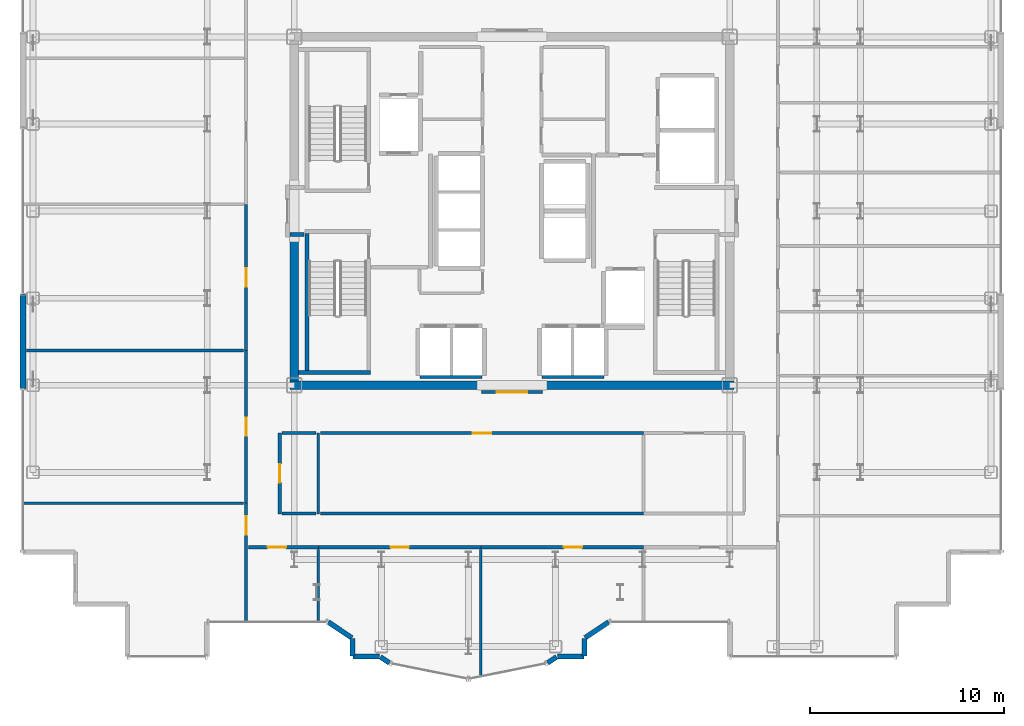
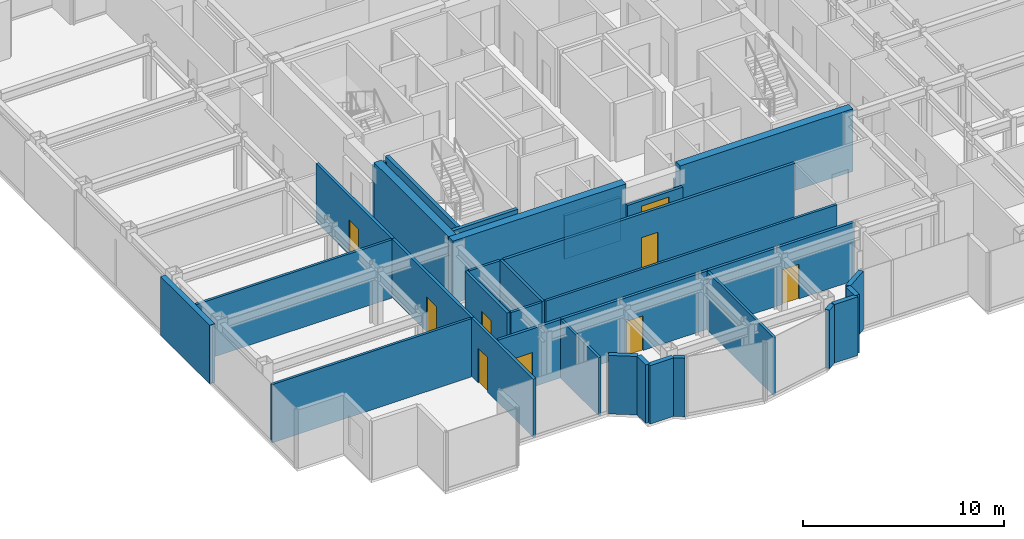
# One storey, part 15 of 21: 34 walls, 9 doors, 9 openings.
"""IFC4 building model written with IfcOpenShell, lengths in metres."""

from ifc_helpers import new_model, si_unit, direction, frame, frame_2d, origin, place, context, subcontext, project, spatial, rectangle, extrude, source, transform, mapped, material, layer, layer_set, type_object, element, fill, save


model = new_model("IFC4")

# Units and contexts
model_context = context("Model", 3, precision=1e-05, world=origin(), true_north=direction((0.0, 1.0)))
body_context = subcontext(model_context, "Body", "Model", "MODEL_VIEW")
ifc_project = project(units=[si_unit("LENGTHUNIT", "METRE"), si_unit("AREAUNIT", "SQUARE_METRE"), si_unit("VOLUMEUNIT", "CUBIC_METRE"), si_unit("PLANEANGLEUNIT", "RADIAN"), si_unit("MASSUNIT", "GRAM", prefix="KILO")], contexts=[model_context])

# Site, building, storey
site_placement = place(None, origin())
site = spatial("IfcSite", under=ifc_project, at=site_placement, CompositionType="ELEMENT")
building_placement = place(site_placement, origin())
building = spatial("IfcBuilding", under=site, at=building_placement, Name="Nefas-Gora Pilgrimage Tower", CompositionType="ELEMENT")
storey_placement = place(building_placement, frame((0.0, 0.0, 252.199951171875)))
storey = spatial("IfcBuildingStorey", under=building, at=storey_placement, Name="L63", CompositionType="ELEMENT", Elevation=252.199951171875)

# Walls
ifc_material_1 = material(Name="Concrete C50/60", Category="concrete")
ifc_layer_1 = layer(ifc_material_1, 0.449951171875)
ifc_layer_set_1 = layer_set([ifc_layer_1], Name="Concrete C50/60")
wall_type_1 = type_object("IfcWallType", Name="SW-CORE-450", PredefinedType="SHEAR", material=ifc_layer_set_1)
shared_shape_1 = source(origin(), body_context, "Body", "SweptSolid", [
    extrude(rectangle(XDim=9.925048828125, YDim=0.449951171875, at=frame_2d((4.96240234375, 0.0))), origin(), (0.0, 0.0, 1.0), 3.800048828125),
])
for number, where, z_axis, x_axis, name in (
    (1, (-11.47509765625, -9.0, 0.0), (0.0, 0.0, 1.0), (1.0, 0.0, 0.0), "L63 Core Shear Wall S-West"),
    (2, (1.550048828125, -9.0, 0.0), (0.0, 0.0, 1.0), (1.0, 0.0, 0.0), "L63 Core Shear Wall S-East"),
):
    element("IfcWall", number, at=place(storey_placement, frame(where, z_axis=z_axis, x_axis=x_axis)), inside=storey, type_object=wall_type_1, Name=name, PredefinedType="SHEAR", context=body_context, shape_type="MappedRepresentation", body=[
        mapped(shared_shape_1, transform((0.0, 0.0, 0.0), x_axis=(1.0, 0.0, 0.0), y_axis=(0.0, 1.0, 0.0), z_axis=(0.0, 0.0, 1.0), scale=1.0)),
    ])
shared_shape_2 = source(origin(), body_context, "Body", "SweptSolid", [
    extrude(rectangle(XDim=7.4248046875, YDim=0.449951171875, at=frame_2d((3.71240234375, 0.0))), origin(), (0.0, 0.0, 1.0), 3.800048828125),
])
wall_1_placement = place(storey_placement, frame((-11.25, -8.77490234375, 0.0), z_axis=(0.0, 0.0, 1.0), x_axis=(0.0, 1.0, 0.0)))
element("IfcWall", 3, at=wall_1_placement, inside=storey, type_object=wall_type_1, Name="L63 Core Shear Wall W-South", PredefinedType="SHEAR", context=body_context, shape_type="MappedRepresentation", body=[
    mapped(shared_shape_2, transform((0.0, 0.0, 0.0), x_axis=(1.0, 0.0, 0.0), y_axis=(0.0, 1.0, 0.0), z_axis=(0.0, 0.0, 1.0), scale=1.0)),
])
ifc_material_2 = material(Name="Precast concrete C45/55", Category="concrete")
ifc_layer_2 = layer(ifc_material_2, 0.239990234375)
ifc_layer_set_2 = layer_set([ifc_layer_2], Name="Precast concrete C45/55")
wall_type_2 = type_object("IfcWallType", Name="EW-SERR-240", PredefinedType="SHEAR", material=ifc_layer_set_2)
shared_shape_3 = source(origin(), body_context, "Body", "SweptSolid", [
    extrude(rectangle(XDim=4.8798828125, YDim=0.300048828125, at=frame_2d((2.43994140625, 0.0))), origin(), (0.0, 0.0, 1.0), 3.550048828125),
])
wall_2_placement = place(storey_placement, frame((-25.27001953125, -9.18994140625, 0.0), z_axis=(0.0, 0.0, 1.0), x_axis=(0.0, 1.0, 0.0)))
element("IfcWall", 4, at=wall_2_placement, inside=storey, type_object=wall_type_2, Name="L63 Braced-Tube Precast Shear Cladding 1", PredefinedType="SHEAR", context=body_context, shape_type="MappedRepresentation", body=[
    mapped(shared_shape_3, transform((0.0, 0.0, 0.0), x_axis=(1.0, 0.0, 0.0), y_axis=(0.0, 1.0, 0.0), z_axis=(0.0, 0.0, 1.0), scale=1.0)),
])
ifc_material_3 = material(Name="Precast concrete C40/50", Category="concrete")
ifc_layer_3 = layer(ifc_material_3, 0.260009765625)
ifc_layer_set_3 = layer_set([ifc_layer_3], Name="Precast concrete C40/50")
wall_type_3 = type_object("IfcWallType", Name="EW-PORTAL-260", PredefinedType="SOLIDWALL", material=ifc_layer_set_3)
shared_shape_4 = source(origin(), body_context, "Body", "SweptSolid", [
    extrude(rectangle(XDim=1.468994140625, YDim=0.260009765625, at=frame_2d((0.734375, 0.0))), origin(), (0.0, 0.0, 1.0), 3.550048828125),
])
for number, where, z_axis, x_axis, name in (
    (5, (-9.49462890625, -21.235595703125, 0.0), (0.0, 0.0, 1.0), (0.831461760506, -0.555581983884, 0.0), "L63 Lobe Shoulder Precast Spandrel Pier 33"),
    (6, (3.773193359375, -22.0517578125, 0.0), (0.0, 0.0, 1.0), (0.831461760506, 0.555581983884, 0.0), "L63 Lobe Shoulder Precast Spandrel Pier 40"),
):
    element("IfcWall", number, at=place(storey_placement, frame(where, z_axis=z_axis, x_axis=x_axis)), inside=storey, type_object=wall_type_3, Name=name, PredefinedType="SOLIDWALL", context=body_context, shape_type="MappedRepresentation", body=[
        mapped(shared_shape_4, transform((0.0, 0.0, 0.0), x_axis=(1.0, 0.0, 0.0), y_axis=(0.0, 1.0, 0.0), z_axis=(0.0, 0.0, 1.0), scale=1.0)),
    ])
shared_shape_5 = source(origin(), body_context, "Body", "SweptSolid", [
    extrude(rectangle(XDim=0.896728515625, YDim=0.260009765625, at=frame_2d((0.4482421875, 0.0))), origin(), (0.0, 0.0, 1.0), 3.550048828125),
])
for number, where, z_axis, x_axis, name in (
    (7, (-8.25, -22.09521484375, 0.0), (0.0, 0.0, 1.0), (0.0, -1.0, 0.0), "L63 Lobe Shoulder Precast Spandrel Pier 34"),
    (8, (3.75, -22.991943359375, 0.0), (0.0, 0.0, 1.0), (0.0, 1.0, 0.0), "L63 Lobe Shoulder Precast Spandrel Pier 39"),
):
    element("IfcWall", number, at=place(storey_placement, frame(where, z_axis=z_axis, x_axis=x_axis)), inside=storey, type_object=wall_type_3, Name=name, PredefinedType="SOLIDWALL", context=body_context, shape_type="MappedRepresentation", body=[
        mapped(shared_shape_5, transform((0.0, 0.0, 0.0), x_axis=(1.0, 0.0, 0.0), y_axis=(0.0, 1.0, 0.0), z_axis=(0.0, 0.0, 1.0), scale=1.0)),
    ])
shared_shape_6 = source(origin(), body_context, "Body", "SweptSolid", [
    extrude(rectangle(XDim=1.369873046875, YDim=0.260009765625, at=frame_2d((0.68505859375, 0.0))), origin(), (0.0, 0.0, 1.0), 3.550048828125),
])
for number, where, z_axis, x_axis, name in (
    (9, (-8.221923828125, -23.02001953125, 0.0), (0.0, 0.0, 1.0), (1.0, 0.0, 0.0), "L63 Lobe Shoulder Precast Spandrel Pier 35"),
    (10, (2.35205078125, -23.02001953125, 0.0), (0.0, 0.0, 1.0), (1.0, 0.0, 0.0), "L63 Lobe Shoulder Precast Spandrel Pier 38"),
):
    element("IfcWall", number, at=place(storey_placement, frame(where, z_axis=z_axis, x_axis=x_axis)), inside=storey, type_object=wall_type_3, Name=name, PredefinedType="SOLIDWALL", context=body_context, shape_type="MappedRepresentation", body=[
        mapped(shared_shape_6, transform((0.0, 0.0, 0.0), x_axis=(1.0, 0.0, 0.0), y_axis=(0.0, 1.0, 0.0), z_axis=(0.0, 0.0, 1.0), scale=1.0)),
    ])
shared_shape_7 = source(origin(), body_context, "Body", "SweptSolid", [
    extrude(rectangle(XDim=0.5654296875, YDim=0.260009765625, at=frame_2d((0.28271484375, 0.0))), origin(), (0.0, 0.0, 1.0), 3.550048828125),
])
for number, where, z_axis, x_axis, name in (
    (11, (-6.80078125, -23.03564453125, 0.0), (0.0, 0.0, 1.0), (0.831651492666, -0.555297933317, 0.0), "L63 Lobe Shoulder Precast Spandrel Pier 36"),
    (12, (1.83056640625, -23.349609375, 0.0), (0.0, 0.0, 1.0), (0.831651492666, 0.555297933317, 0.0), "L63 Lobe Shoulder Precast Spandrel Pier 37"),
):
    element("IfcWall", number, at=place(storey_placement, frame(where, z_axis=z_axis, x_axis=x_axis)), inside=storey, type_object=wall_type_3, Name=name, PredefinedType="SOLIDWALL", context=body_context, shape_type="MappedRepresentation", body=[
        mapped(shared_shape_7, transform((0.0, 0.0, 0.0), x_axis=(1.0, 0.0, 0.0), y_axis=(0.0, 1.0, 0.0), z_axis=(0.0, 0.0, 1.0), scale=1.0)),
    ])
ifc_material_4 = material(Name="Concrete C45/55", Category="concrete")
ifc_layer_4 = layer(ifc_material_4, 0.199951171875)
ifc_layer_set_4 = layer_set([ifc_layer_4], Name="Concrete C45/55")
wall_type_4 = type_object("IfcWallType", Name="IW-STAIR-200", PredefinedType="SOLIDWALL", material=ifc_layer_set_4)
shared_shape_8 = source(origin(), body_context, "Body", "SweptSolid", [
    extrude(rectangle(XDim=7.10009765625, YDim=0.199951171875, at=frame_2d((3.550048828125, 0.0))), origin(), (0.0, 0.0, 1.0), 3.800048828125),
])
wall_3_placement = place(storey_placement, frame((-10.60009765625, -1.14990234375, 0.0), z_axis=(0.0, 0.0, 1.0), x_axis=(0.0, -1.0, 0.0)))
element("IfcWall", 13, at=wall_3_placement, inside=storey, type_object=wall_type_4, Name="L63 Stairwell Shear Wall ST-03-left", PredefinedType="SOLIDWALL", context=body_context, shape_type="MappedRepresentation", body=[
    mapped(shared_shape_8, transform((0.0, 0.0, 0.0), x_axis=(1.0, 0.0, 0.0), y_axis=(0.0, 1.0, 0.0), z_axis=(0.0, 0.0, 1.0), scale=1.0)),
])
shared_shape_9 = source(origin(), body_context, "Body", "SweptSolid", [
    extrude(rectangle(XDim=3.72998046875, YDim=0.199951171875, at=frame_2d((1.864990234375, 0.0))), origin(), (0.0, 0.0, 1.0), 3.800048828125),
])
wall_4_placement = place(storey_placement, frame((-11.030029296875, -8.35009765625, 0.0), z_axis=(0.0, 0.0, 1.0), x_axis=(1.0, 0.0, 0.0)))
element("IfcWall", 14, at=wall_4_placement, inside=storey, type_object=wall_type_4, Name="L63 Stairwell Shear Wall ST-03-far", PredefinedType="SOLIDWALL", context=body_context, shape_type="MappedRepresentation", body=[
    mapped(shared_shape_9, transform((0.0, 0.0, 0.0), x_axis=(1.0, 0.0, 0.0), y_axis=(0.0, 1.0, 0.0), z_axis=(0.0, 0.0, 1.0), scale=1.0)),
])
ifc_material_5 = material(Name="Gypsum acoustic stud partition")
ifc_layer_5 = layer(ifc_material_5, 0.159912109375)
ifc_layer_set_5 = layer_set([ifc_layer_5], Name="Gypsum acoustic stud partition")
wall_type_5 = type_object("IfcWallType", Name="IW-CORR-160", PredefinedType="PARTITIONING", material=ifc_layer_set_5)
shared_shape_10 = source(origin(), body_context, "Body", "SweptSolid", [
    extrude(rectangle(XDim=3.199951171875, YDim=0.159912109375, at=frame_2d((1.60009765625, 0.0))), origin(), (0.0, 0.0, 1.0), 2.625),
])
for number, where, z_axis, x_axis, name in (
    (15, (-4.75, -8.580078125, 0.0), (0.0, 0.0, 1.0), (1.0, 0.0, 0.0), "L63 Hoistway Wall PL2-W-S"),
    (16, (1.550048828125, -8.580078125, 0.0), (0.0, 0.0, 1.0), (1.0, 0.0, 0.0), "L63 Hoistway Wall PL2-E-S"),
):
    element("IfcWall", number, at=place(storey_placement, frame(where, z_axis=z_axis, x_axis=x_axis)), inside=storey, type_object=wall_type_5, Name=name, PredefinedType="PARTITIONING", context=body_context, shape_type="MappedRepresentation", body=[
        mapped(shared_shape_10, transform((0.0, 0.0, 0.0), x_axis=(1.0, 0.0, 0.0), y_axis=(0.0, 1.0, 0.0), z_axis=(0.0, 0.0, 1.0), scale=1.0)),
    ])
ifc_material_6 = material(Name="Gypsum fire-rated shaftwall")
ifc_layer_6 = layer(ifc_material_6, 0.199951171875)
ifc_layer_set_6 = layer_set([ifc_layer_6], Name="Gypsum fire-rated shaftwall")
wall_type_6 = type_object("IfcWallType", Name="IW-FFLOB-200", PredefinedType="PARTITIONING", material=ifc_layer_set_6)
shared_shape_11 = source(origin(), body_context, "Body", "SweptSolid", [
    extrude(rectangle(XDim=0.719970703125, YDim=0.199951171875, at=frame_2d((0.35986328125, 0.0))), origin(), (0.0, 0.0, 1.0), 3.53515625),
])
wall_5_placement = place(storey_placement, frame((-11.4599609375, -1.219970703125, 0.0), z_axis=(0.0, 0.0, 1.0), x_axis=(1.0, 0.0, 0.0)))
element("IfcWall", 17, at=wall_5_placement, inside=storey, type_object=wall_type_6, Name="L63 FF Lobby West Throat S Wall 8", PredefinedType="PARTITIONING", context=body_context, shape_type="MappedRepresentation", body=[
    mapped(shared_shape_11, transform((0.0, 0.0, 0.0), x_axis=(1.0, 0.0, 0.0), y_axis=(0.0, 1.0, 0.0), z_axis=(0.0, 0.0, 1.0), scale=1.0)),
])

# Wall, opening, door
shared_shape_12 = source(origin(), body_context, "Body", "SweptSolid", [
    extrude(rectangle(XDim=3.625, YDim=0.159912109375, at=frame_2d((1.8125, 0.0))), origin(), (0.0, 0.0, 1.0), 3.53515625),
])
wall_6_placement = place(storey_placement, frame((-13.6201171875, -17.3701171875, 0.0), z_axis=(0.0, 0.0, 1.0), x_axis=(1.0, 0.0, 0.0)))
wall_6 = element("IfcWall", 18, at=wall_6_placement, inside=storey, type_object=wall_type_5, Name="L63 Pilgrim Contemplative Lounge Partition Wall 79", PredefinedType="PARTITIONING", context=body_context, shape_type="MappedRepresentation", body=[
    mapped(shared_shape_12, transform((0.0, 0.0, 0.0), x_axis=(1.0, 0.0, 0.0), y_axis=(0.0, 1.0, 0.0), z_axis=(0.0, 0.0, 1.0), scale=1.0)),
])
opening_1_placement = place(wall_6_placement, frame((0.9990234375, 0.0, 0.0)))
opening_1 = element("IfcOpeningElement", 19, at=opening_1_placement, cuts=wall_6, Name="Opening ID-GR1", PredefinedType="OPENING", context=body_context, shape_type="SweptSolid", body=[
    extrude(rectangle(XDim=0.949951171875, YDim=2.10009765625, at=frame_2d((0.47509765625, 1.050048828125))), frame((0.0, 0.08984375, 0.0), z_axis=(0.0, -1.0, 0.0), x_axis=(1.0, 0.0, 0.0)), (0.0, 0.0, 1.0), 0.179931640625),
])
ifc_material_7 = material(Name="Solid core oak fire-rated guest entrance door")
door_type_1 = type_object("IfcDoorType", Name="DR-INT-GUEST-950", OperationType="NOTDEFINED", PredefinedType="DOOR", material=ifc_material_7)
shared_shape_13 = source(origin(), body_context, "Body", "SweptSolid", [
    extrude(rectangle(XDim=0.949951171875, YDim=2.10009765625, at=frame_2d((0.47509765625, 1.050048828125))), frame((0.0, 0.02490234375, 0.0), z_axis=(0.0, -1.0, 0.0), x_axis=(1.0, 0.0, 0.0)), (0.0, 0.0, 1.0), 0.050048828125),
])
door_1_placement = place(opening_1_placement, origin())
door_1 = element("IfcDoor", 20, at=door_1_placement, inside=storey, type_object=door_type_1, Name="L63 Pilgrim Contemplative Lounge Door 36", OperationType="SINGLE_SWING_RIGHT", OverallHeight=2.10009765625, OverallWidth=0.949951171875, PredefinedType="DOOR", context=body_context, shape_type="MappedRepresentation", body=[
    mapped(shared_shape_13, transform((0.0, 0.0, 0.0), x_axis=(1.0, 0.0, 0.0), y_axis=(0.0, 1.0, 0.0), z_axis=(0.0, 0.0, 1.0), scale=1.0)),
])
fill(opening_1, door_1)

shared_shape_14 = source(origin(), body_context, "Body", "SweptSolid", [
    extrude(rectangle(XDim=8.405029296875, YDim=0.159912109375, at=frame_2d((4.20263671875, 0.0))), origin(), (0.0, 0.0, 1.0), 3.53515625),
])
wall_7_placement = place(storey_placement, frame((-1.60009765625, -17.3701171875, 0.0), z_axis=(0.0, 0.0, 1.0), x_axis=(1.0, 0.0, 0.0)))
wall_7 = element("IfcWall", 21, at=wall_7_placement, inside=storey, type_object=wall_type_5, Name="L63 Pilgrim Contemplative Lounge Partition Wall 87", PredefinedType="PARTITIONING", context=body_context, shape_type="MappedRepresentation", body=[
    mapped(shared_shape_14, transform((0.0, 0.0, 0.0), x_axis=(1.0, 0.0, 0.0), y_axis=(0.0, 1.0, 0.0), z_axis=(0.0, 0.0, 1.0), scale=1.0)),
])
opening_2_placement = place(wall_7_placement, frame((4.279052734375, 0.0, 0.0)))
opening_2 = element("IfcOpeningElement", 22, at=opening_2_placement, cuts=wall_7, Name="Opening ID-GR1", PredefinedType="OPENING", context=body_context, shape_type="SweptSolid", body=[
    extrude(rectangle(XDim=0.949951171875, YDim=2.10009765625, at=frame_2d((0.47509765625, 1.050048828125))), frame((0.0, 0.08984375, 0.0), z_axis=(0.0, -1.0, 0.0), x_axis=(1.0, 0.0, 0.0)), (0.0, 0.0, 1.0), 0.179931640625),
])
door_2_placement = place(opening_2_placement, origin())
door_2 = element("IfcDoor", 23, at=door_2_placement, inside=storey, type_object=door_type_1, Name="L63 Pilgrim Contemplative Lounge Door 39", OperationType="SINGLE_SWING_LEFT", OverallHeight=2.10009765625, OverallWidth=0.949951171875, PredefinedType="DOOR", context=body_context, shape_type="MappedRepresentation", body=[
    mapped(shared_shape_13, transform((0.0, 0.0, 0.0), x_axis=(1.0, 0.0, 0.0), y_axis=(0.0, 1.0, 0.0), z_axis=(0.0, 0.0, 1.0), scale=1.0)),
])
fill(opening_2, door_2)

# Walls
ifc_material_8 = material(Name="Gypsum twin-stud partition")
ifc_layer_7 = layer(ifc_material_8, 0.139892578125)
ifc_layer_set_7 = layer_set([ifc_layer_7], Name="Gypsum twin-stud partition")
wall_type_7 = type_object("IfcWallType", Name="IW-UNIT-140", PredefinedType="PARTITIONING", material=ifc_layer_set_7)
shared_shape_15 = source(origin(), body_context, "Body", "SweptSolid", [
    extrude(rectangle(XDim=11.429931640625, YDim=0.139892578125, at=frame_2d((5.71484375, 0.0))), origin(), (0.0, 0.0, 1.0), 3.53515625),
])
wall_8_placement = place(storey_placement, frame((-25.2900390625, -15.097412109375, 0.0), z_axis=(0.0, 0.0, 1.0), x_axis=(1.0, 0.0, 0.0)))
element("IfcWall", 24, at=wall_8_placement, inside=storey, type_object=wall_type_7, Name="L63 Pilgrim Devotional Prayer Gallery Partition Wall 33", PredefinedType="PARTITIONING", context=body_context, shape_type="MappedRepresentation", body=[
    mapped(shared_shape_15, transform((0.0, 0.0, 0.0), x_axis=(1.0, 0.0, 0.0), y_axis=(0.0, 1.0, 0.0), z_axis=(0.0, 0.0, 1.0), scale=1.0)),
])
shared_shape_16 = source(origin(), body_context, "Body", "SweptSolid", [
    extrude(rectangle(XDim=3.75, YDim=0.139892578125, at=frame_2d((1.875, 0.0))), origin(), (0.0, 0.0, 1.0), 3.53515625),
])
wall_9_placement = place(storey_placement, frame((-10.0048828125, -21.239990234375, 0.0), z_axis=(0.0, 0.0, 1.0), x_axis=(0.0, 1.0, 0.0)))
element("IfcWall", 25, at=wall_9_placement, inside=storey, type_object=wall_type_7, Name="L63 Pilgrim Contemplative Lounge Partition Wall 80", PredefinedType="PARTITIONING", context=body_context, shape_type="MappedRepresentation", body=[
    mapped(shared_shape_16, transform((0.0, 0.0, 0.0), x_axis=(1.0, 0.0, 0.0), y_axis=(0.0, 1.0, 0.0), z_axis=(0.0, 0.0, 1.0), scale=1.0)),
])
shared_shape_17 = source(origin(), body_context, "Body", "SweptSolid", [
    extrude(rectangle(XDim=4.179931640625, YDim=0.139892578125, at=frame_2d((2.08984375, 0.0))), origin(), (0.0, 0.0, 1.0), 3.53515625),
])
wall_10_placement = place(storey_placement, frame((-10.0048828125, -15.639892578125, 0.0), z_axis=(0.0, 0.0, 1.0), x_axis=(0.0, 1.0, 0.0)))
element("IfcWall", 26, at=wall_10_placement, inside=storey, type_object=wall_type_7, Name="L63 Pilgrim Contemplative Lounge Partition Wall 82", PredefinedType="PARTITIONING", context=body_context, shape_type="MappedRepresentation", body=[
    mapped(shared_shape_17, transform((0.0, 0.0, 0.0), x_axis=(1.0, 0.0, 0.0), y_axis=(0.0, 1.0, 0.0), z_axis=(0.0, 0.0, 1.0), scale=1.0)),
])

# Wall, opening, door
shared_shape_18 = source(origin(), body_context, "Body", "SweptSolid", [
    extrude(rectangle(XDim=4.179931640625, YDim=0.159912109375, at=frame_2d((2.08984375, 0.0))), origin(), (0.0, 0.0, 1.0), 3.53515625),
])
wall_11_placement = place(storey_placement, frame((-12.0, -15.639892578125, 0.0), z_axis=(0.0, 0.0, 1.0), x_axis=(0.0, 1.0, 0.0)))
wall_11 = element("IfcWall", 27, at=wall_11_placement, inside=storey, type_object=wall_type_5, Name="L63 Pilgrim Contemplative Lounge Partition Wall 81", PredefinedType="PARTITIONING", context=body_context, shape_type="MappedRepresentation", body=[
    mapped(shared_shape_18, transform((0.0, 0.0, 0.0), x_axis=(1.0, 0.0, 0.0), y_axis=(0.0, 1.0, 0.0), z_axis=(0.0, 0.0, 1.0), scale=1.0)),
])
opening_3_placement = place(wall_11_placement, frame((1.614990234375, 0.0, 0.0)))
opening_3 = element("IfcOpeningElement", 28, at=opening_3_placement, cuts=wall_11, Name="Opening ID-GR1", PredefinedType="OPENING", context=body_context, shape_type="SweptSolid", body=[
    extrude(rectangle(XDim=0.949951171875, YDim=2.10009765625, at=frame_2d((0.47509765625, 1.050048828125))), frame((0.0, 0.08984375, 0.0), z_axis=(0.0, -1.0, 0.0), x_axis=(1.0, 0.0, 0.0)), (0.0, 0.0, 1.0), 0.179931640625),
])
door_3_placement = place(opening_3_placement, origin())
door_3 = element("IfcDoor", 29, at=door_3_placement, inside=storey, type_object=door_type_1, Name="L63 Pilgrim Contemplative Lounge Door 37", OperationType="SINGLE_SWING_LEFT", OverallHeight=2.10009765625, OverallWidth=0.949951171875, PredefinedType="DOOR", context=body_context, shape_type="MappedRepresentation", body=[
    mapped(shared_shape_13, transform((0.0, 0.0, 0.0), x_axis=(1.0, 0.0, 0.0), y_axis=(0.0, 1.0, 0.0), z_axis=(0.0, 0.0, 1.0), scale=1.0)),
])
fill(opening_3, door_3)

shared_shape_19 = source(origin(), body_context, "Body", "SweptSolid", [
    extrude(rectangle(XDim=7.892333984375, YDim=0.159912109375, at=frame_2d((3.9462890625, 0.0))), origin(), (0.0, 0.0, 1.0), 3.53515625),
])
wall_12_placement = place(storey_placement, frame((-13.739990234375, -15.08740234375, 0.0), z_axis=(0.0, 0.0, 1.0), x_axis=(0.0, 1.0, 0.0)))
wall_12 = element("IfcWall", 30, at=wall_12_placement, inside=storey, type_object=wall_type_5, Name="L63 Pilgrim Devotional Prayer Gallery Partition Wall 34", PredefinedType="PARTITIONING", context=body_context, shape_type="MappedRepresentation", body=[
    mapped(shared_shape_19, transform((0.0, 0.0, 0.0), x_axis=(1.0, 0.0, 0.0), y_axis=(0.0, 1.0, 0.0), z_axis=(0.0, 0.0, 1.0), scale=1.0)),
])
opening_4_placement = place(wall_12_placement, frame((3.47119140625, 0.0, 0.0)))
opening_4 = element("IfcOpeningElement", 31, at=opening_4_placement, cuts=wall_12, Name="Opening ID-GR1", PredefinedType="OPENING", context=body_context, shape_type="SweptSolid", body=[
    extrude(rectangle(XDim=0.949951171875, YDim=2.10009765625, at=frame_2d((0.47509765625, 1.050048828125))), frame((0.0, 0.08984375, 0.0), z_axis=(0.0, -1.0, 0.0), x_axis=(1.0, 0.0, 0.0)), (0.0, 0.0, 1.0), 0.179931640625),
])
door_4_placement = place(opening_4_placement, origin())
door_4 = element("IfcDoor", 32, at=door_4_placement, inside=storey, type_object=door_type_1, Name="L63 Pilgrim Devotional Prayer Gallery Door 14", OperationType="SINGLE_SWING_RIGHT", OverallHeight=2.10009765625, OverallWidth=0.949951171875, PredefinedType="DOOR", context=body_context, shape_type="MappedRepresentation", body=[
    mapped(shared_shape_13, transform((0.0, 0.0, 0.0), x_axis=(1.0, 0.0, 0.0), y_axis=(0.0, 1.0, 0.0), z_axis=(0.0, 0.0, 1.0), scale=1.0)),
])
fill(opening_4, door_4)

# Walls
shared_shape_20 = source(origin(), body_context, "Body", "SweptSolid", [
    extrude(rectangle(XDim=11.219970703125, YDim=0.139892578125, at=frame_2d((5.60986328125, 0.0))), origin(), (0.0, 0.0, 1.0), 3.53515625),
])
wall_13_placement = place(storey_placement, frame((-25.080078125, -7.205078125, 0.0), z_axis=(0.0, 0.0, 1.0), x_axis=(1.0, 0.0, 0.0)))
element("IfcWall", 33, at=wall_13_placement, inside=storey, type_object=wall_type_7, Name="L63 Pilgrim Devotional Prayer Gallery Partition Wall 35", PredefinedType="PARTITIONING", context=body_context, shape_type="MappedRepresentation", body=[
    mapped(shared_shape_20, transform((0.0, 0.0, 0.0), x_axis=(1.0, 0.0, 0.0), y_axis=(0.0, 1.0, 0.0), z_axis=(0.0, 0.0, 1.0), scale=1.0)),
])
shared_shape_21 = source(origin(), body_context, "Body", "SweptSolid", [
    extrude(rectangle(XDim=1.764892578125, YDim=0.139892578125, at=frame_2d((0.88232421875, 0.0))), origin(), (0.0, 0.0, 1.0), 3.53515625),
])
for number, where, z_axis, x_axis, name in (
    (34, (-11.8798828125, -11.469970703125, 0.0), (0.0, 0.0, 1.0), (1.0, 0.0, 0.0), "L63 Pilgrim Contemplative Lounge Partition Wall 83"),
    (35, (-11.8798828125, -15.6298828125, 0.0), (0.0, 0.0, 1.0), (1.0, 0.0, 0.0), "L63 Pilgrim Contemplative Lounge Partition Wall 84"),
):
    element("IfcWall", number, at=place(storey_placement, frame(where, z_axis=z_axis, x_axis=x_axis)), inside=storey, type_object=wall_type_7, Name=name, PredefinedType="PARTITIONING", context=body_context, shape_type="MappedRepresentation", body=[
        mapped(shared_shape_21, transform((0.0, 0.0, 0.0), x_axis=(1.0, 0.0, 0.0), y_axis=(0.0, 1.0, 0.0), z_axis=(0.0, 0.0, 1.0), scale=1.0)),
    ])

# Wall, opening, door
shared_shape_22 = source(origin(), body_context, "Body", "SweptSolid", [
    extrude(rectangle(XDim=3.16015625, YDim=0.159912109375, at=frame_2d((1.580078125, 0.0))), origin(), (0.0, 0.0, 1.0), 2.625),
])
wall_14_placement = place(storey_placement, frame((-1.580078125, -9.35009765625, 0.0), z_axis=(0.0, 0.0, 1.0), x_axis=(1.0, 0.0, 0.0)))
wall_14 = element("IfcWall", 36, at=wall_14_placement, inside=storey, type_object=wall_type_5, Name="L63 Central Lift Lobby South Portal Wall 16", PredefinedType="PARTITIONING", context=body_context, shape_type="MappedRepresentation", body=[
    mapped(shared_shape_22, transform((0.0, 0.0, 0.0), x_axis=(1.0, 0.0, 0.0), y_axis=(0.0, 1.0, 0.0), z_axis=(0.0, 0.0, 1.0), scale=1.0)),
])
opening_5_placement = place(wall_14_placement, frame((0.780029296875, 0.0, 0.0)))
opening_5 = element("IfcOpeningElement", 37, at=opening_5_placement, cuts=wall_14, Name="Opening ID-HL1", PredefinedType="OPENING", context=body_context, shape_type="SweptSolid", body=[
    extrude(rectangle(XDim=1.60009765625, YDim=2.300048828125, at=frame_2d((0.800048828125, 1.14990234375))), frame((0.0, 0.08984375, 0.0), z_axis=(0.0, -1.0, 0.0), x_axis=(1.0, 0.0, 0.0)), (0.0, 0.0, 1.0), 0.179931640625),
])
ifc_material_9 = material(Name="Double acoustic timber assembly hall door", Category="wood")
door_type_2 = type_object("IfcDoorType", Name="DR-INT-HALL-1600", OperationType="DOUBLE_DOOR_SINGLE_SWING", PredefinedType="DOOR", material=ifc_material_9)
shared_shape_23 = source(origin(), body_context, "Body", "SweptSolid", [
    extrude(rectangle(XDim=1.60009765625, YDim=2.300048828125, at=frame_2d((0.800048828125, 1.14990234375))), frame((0.0, 0.02490234375, 0.0), z_axis=(0.0, -1.0, 0.0), x_axis=(1.0, 0.0, 0.0)), (0.0, 0.0, 1.0), 0.050048828125),
])
door_5_placement = place(opening_5_placement, origin())
door_5 = element("IfcDoor", 38, at=door_5_placement, inside=storey, type_object=door_type_2, Name="L63 Central Lift Lobby South Portal Door 6", OperationType="DOUBLE_DOOR_SINGLE_SWING", OverallHeight=2.300048828125, OverallWidth=1.60009765625, PredefinedType="DOOR", context=body_context, shape_type="MappedRepresentation", body=[
    mapped(shared_shape_23, transform((0.0, 0.0, 0.0), x_axis=(1.0, 0.0, 0.0), y_axis=(0.0, 1.0, 0.0), z_axis=(0.0, 0.0, 1.0), scale=1.0)),
])
fill(opening_5, door_5)

shared_shape_24 = source(origin(), body_context, "Body", "SweptSolid", [
    extrude(rectangle(XDim=6.152587890625, YDim=0.159912109375, at=frame_2d((3.076171875, 0.0))), origin(), (0.0, 0.0, 1.0), 3.53515625),
])
wall_15_placement = place(storey_placement, frame((-13.739990234375, -21.239990234375, 0.0), z_axis=(0.0, 0.0, 1.0), x_axis=(0.0, 1.0, 0.0)))
wall_15 = element("IfcWall", 39, at=wall_15_placement, inside=storey, type_object=wall_type_5, Name="L63 Pilgrim Devotional Prayer Gallery Partition Wall 32", PredefinedType="PARTITIONING", context=body_context, shape_type="MappedRepresentation", body=[
    mapped(shared_shape_24, transform((0.0, 0.0, 0.0), x_axis=(1.0, 0.0, 0.0), y_axis=(0.0, 1.0, 0.0), z_axis=(0.0, 0.0, 1.0), scale=1.0)),
])
opening_6_placement = place(wall_15_placement, frame((4.51611328125, 0.0, 0.0)))
opening_6 = element("IfcOpeningElement", 40, at=opening_6_placement, cuts=wall_15, Name="Opening ID-GR1", PredefinedType="OPENING", context=body_context, shape_type="SweptSolid", body=[
    extrude(rectangle(XDim=0.949951171875, YDim=2.10009765625, at=frame_2d((0.47509765625, 1.050048828125))), frame((0.0, 0.08984375, 0.0), z_axis=(0.0, -1.0, 0.0), x_axis=(1.0, 0.0, 0.0)), (0.0, 0.0, 1.0), 0.179931640625),
])
door_6_placement = place(opening_6_placement, origin())
door_6 = element("IfcDoor", 41, at=door_6_placement, inside=storey, type_object=door_type_1, Name="L63 Pilgrim Devotional Prayer Gallery Door 13", OperationType="SINGLE_SWING_LEFT", OverallHeight=2.10009765625, OverallWidth=0.949951171875, PredefinedType="DOOR", context=body_context, shape_type="MappedRepresentation", body=[
    mapped(shared_shape_13, transform((0.0, 0.0, 0.0), x_axis=(1.0, 0.0, 0.0), y_axis=(0.0, 1.0, 0.0), z_axis=(0.0, 0.0, 1.0), scale=1.0)),
])
fill(opening_6, door_6)

shared_shape_25 = source(origin(), body_context, "Body", "SweptSolid", [
    extrude(rectangle(XDim=7.54638671875, YDim=0.159912109375, at=frame_2d((3.773193359375, 0.0))), origin(), (0.0, 0.0, 1.0), 3.53515625),
])
wall_16_placement = place(storey_placement, frame((-13.739990234375, -7.205078125, 0.0), z_axis=(0.0, 0.0, 1.0), x_axis=(0.0, 1.0, 0.0)))
wall_16 = element("IfcWall", 42, at=wall_16_placement, inside=storey, type_object=wall_type_5, Name="L63 Pilgrim Tea and Beverage Pantry Partition Wall 40", PredefinedType="PARTITIONING", context=body_context, shape_type="MappedRepresentation", body=[
    mapped(shared_shape_25, transform((0.0, 0.0, 0.0), x_axis=(1.0, 0.0, 0.0), y_axis=(0.0, 1.0, 0.0), z_axis=(0.0, 0.0, 1.0), scale=1.0)),
])
opening_7_placement = place(wall_16_placement, frame((3.298095703125, 0.0, 0.0)))
opening_7 = element("IfcOpeningElement", 43, at=opening_7_placement, cuts=wall_16, Name="Opening ID-GR1", PredefinedType="OPENING", context=body_context, shape_type="SweptSolid", body=[
    extrude(rectangle(XDim=0.949951171875, YDim=2.10009765625, at=frame_2d((0.47509765625, 1.050048828125))), frame((0.0, 0.08984375, 0.0), z_axis=(0.0, -1.0, 0.0), x_axis=(1.0, 0.0, 0.0)), (0.0, 0.0, 1.0), 0.179931640625),
])
door_7_placement = place(opening_7_placement, origin())
door_7 = element("IfcDoor", 44, at=door_7_placement, inside=storey, type_object=door_type_1, Name="L63 Pilgrim Tea and Beverage Pantry Door 17", OperationType="SINGLE_SWING_LEFT", OverallHeight=2.10009765625, OverallWidth=0.949951171875, PredefinedType="DOOR", context=body_context, shape_type="MappedRepresentation", body=[
    mapped(shared_shape_13, transform((0.0, 0.0, 0.0), x_axis=(1.0, 0.0, 0.0), y_axis=(0.0, 1.0, 0.0), z_axis=(0.0, 0.0, 1.0), scale=1.0)),
])
fill(opening_7, door_7)

shared_shape_26 = source(origin(), body_context, "Body", "SweptSolid", [
    extrude(rectangle(XDim=8.40478515625, YDim=0.159912109375, at=frame_2d((4.202392578125, 0.0))), origin(), (0.0, 0.0, 1.0), 3.53515625),
])
wall_17_placement = place(storey_placement, frame((-10.0048828125, -17.3701171875, 0.0), z_axis=(0.0, 0.0, 1.0), x_axis=(1.0, 0.0, 0.0)))
wall_17 = element("IfcWall", 45, at=wall_17_placement, inside=storey, type_object=wall_type_5, Name="L63 Pilgrim Contemplative Lounge Partition Wall 85", PredefinedType="PARTITIONING", context=body_context, shape_type="MappedRepresentation", body=[
    mapped(shared_shape_26, transform((0.0, 0.0, 0.0), x_axis=(1.0, 0.0, 0.0), y_axis=(0.0, 1.0, 0.0), z_axis=(0.0, 0.0, 1.0), scale=1.0)),
])
opening_8_placement = place(wall_17_placement, frame((3.7275390625, 0.0, 0.0)))
opening_8 = element("IfcOpeningElement", 46, at=opening_8_placement, cuts=wall_17, Name="Opening ID-GR1", PredefinedType="OPENING", context=body_context, shape_type="SweptSolid", body=[
    extrude(rectangle(XDim=0.949951171875, YDim=2.10009765625, at=frame_2d((0.47509765625, 1.050048828125))), frame((0.0, 0.08984375, 0.0), z_axis=(0.0, -1.0, 0.0), x_axis=(1.0, 0.0, 0.0)), (0.0, 0.0, 1.0), 0.179931640625),
])
door_8_placement = place(opening_8_placement, origin())
door_8 = element("IfcDoor", 47, at=door_8_placement, inside=storey, type_object=door_type_1, Name="L63 Pilgrim Contemplative Lounge Door 38", OperationType="SINGLE_SWING_RIGHT", OverallHeight=2.10009765625, OverallWidth=0.949951171875, PredefinedType="DOOR", context=body_context, shape_type="MappedRepresentation", body=[
    mapped(shared_shape_13, transform((0.0, 0.0, 0.0), x_axis=(1.0, 0.0, 0.0), y_axis=(0.0, 1.0, 0.0), z_axis=(0.0, 0.0, 1.0), scale=1.0)),
])
fill(opening_8, door_8)

# Wall
shared_shape_27 = source(origin(), body_context, "Body", "SweptSolid", [
    extrude(rectangle(XDim=6.575439453125, YDim=0.139892578125, at=frame_2d((3.28759765625, 0.0))), origin(), (0.0, 0.0, 1.0), 3.53515625),
])
wall_18_placement = place(storey_placement, frame((-1.610107421875, -24.0654296875, 0.0), z_axis=(0.0, 0.0, 1.0), x_axis=(0.0, 1.0, 0.0)))
element("IfcWall", 48, at=wall_18_placement, inside=storey, type_object=wall_type_7, Name="L63 Pilgrim Contemplative Lounge Partition Wall 86", PredefinedType="PARTITIONING", context=body_context, shape_type="MappedRepresentation", body=[
    mapped(shared_shape_27, transform((0.0, 0.0, 0.0), x_axis=(1.0, 0.0, 0.0), y_axis=(0.0, 1.0, 0.0), z_axis=(0.0, 0.0, 1.0), scale=1.0)),
])

# Wall, opening, door
shared_shape_28 = source(origin(), body_context, "Body", "SweptSolid", [
    extrude(rectangle(XDim=16.699951171875, YDim=0.159912109375, at=frame_2d((8.35009765625, 0.0))), origin(), (0.0, 0.0, 1.0), 3.53515625),
])
wall_19_placement = place(storey_placement, frame((-9.89501953125, -11.469970703125, 0.0), z_axis=(0.0, 0.0, 1.0), x_axis=(1.0, 0.0, 0.0)))
wall_19 = element("IfcWall", 49, at=wall_19_placement, inside=storey, type_object=wall_type_5, Name="L63 Pilgrim Contemplative Lounge Partition Wall 89", PredefinedType="PARTITIONING", context=body_context, shape_type="MappedRepresentation", body=[
    mapped(shared_shape_28, transform((0.0, 0.0, 0.0), x_axis=(1.0, 0.0, 0.0), y_axis=(0.0, 1.0, 0.0), z_axis=(0.0, 0.0, 1.0), scale=1.0)),
])
opening_9_placement = place(wall_19_placement, frame((7.875, 0.0, 0.0)))
opening_9 = element("IfcOpeningElement", 50, at=opening_9_placement, cuts=wall_19, Name="Opening ID-GR1", PredefinedType="OPENING", context=body_context, shape_type="SweptSolid", body=[
    extrude(rectangle(XDim=0.949951171875, YDim=2.10009765625, at=frame_2d((0.47509765625, 1.050048828125))), frame((0.0, 0.08984375, 0.0), z_axis=(0.0, -1.0, 0.0), x_axis=(1.0, 0.0, 0.0)), (0.0, 0.0, 1.0), 0.179931640625),
])
door_9_placement = place(opening_9_placement, origin())
door_9 = element("IfcDoor", 51, at=door_9_placement, inside=storey, type_object=door_type_1, Name="L63 Pilgrim Contemplative Lounge Door 40", OperationType="SINGLE_SWING_RIGHT", OverallHeight=2.10009765625, OverallWidth=0.949951171875, PredefinedType="DOOR", context=body_context, shape_type="MappedRepresentation", body=[
    mapped(shared_shape_13, transform((0.0, 0.0, 0.0), x_axis=(1.0, 0.0, 0.0), y_axis=(0.0, 1.0, 0.0), z_axis=(0.0, 0.0, 1.0), scale=1.0)),
])
fill(opening_9, door_9)

# Wall
shared_shape_29 = source(origin(), body_context, "Body", "SweptSolid", [
    extrude(rectangle(XDim=16.699951171875, YDim=0.139892578125, at=frame_2d((8.35009765625, 0.0))), origin(), (0.0, 0.0, 1.0), 3.53515625),
])
wall_20_placement = place(storey_placement, frame((-9.89501953125, -15.6298828125, 0.0), z_axis=(0.0, 0.0, 1.0), x_axis=(1.0, 0.0, 0.0)))
element("IfcWall", 52, at=wall_20_placement, inside=storey, type_object=wall_type_7, Name="L63 Pilgrim Contemplative Lounge Partition Wall 90", PredefinedType="PARTITIONING", context=body_context, shape_type="MappedRepresentation", body=[
    mapped(shared_shape_29, transform((0.0, 0.0, 0.0), x_axis=(1.0, 0.0, 0.0), y_axis=(0.0, 1.0, 0.0), z_axis=(0.0, 0.0, 1.0), scale=1.0)),
])

save(model, "model.ifc")
